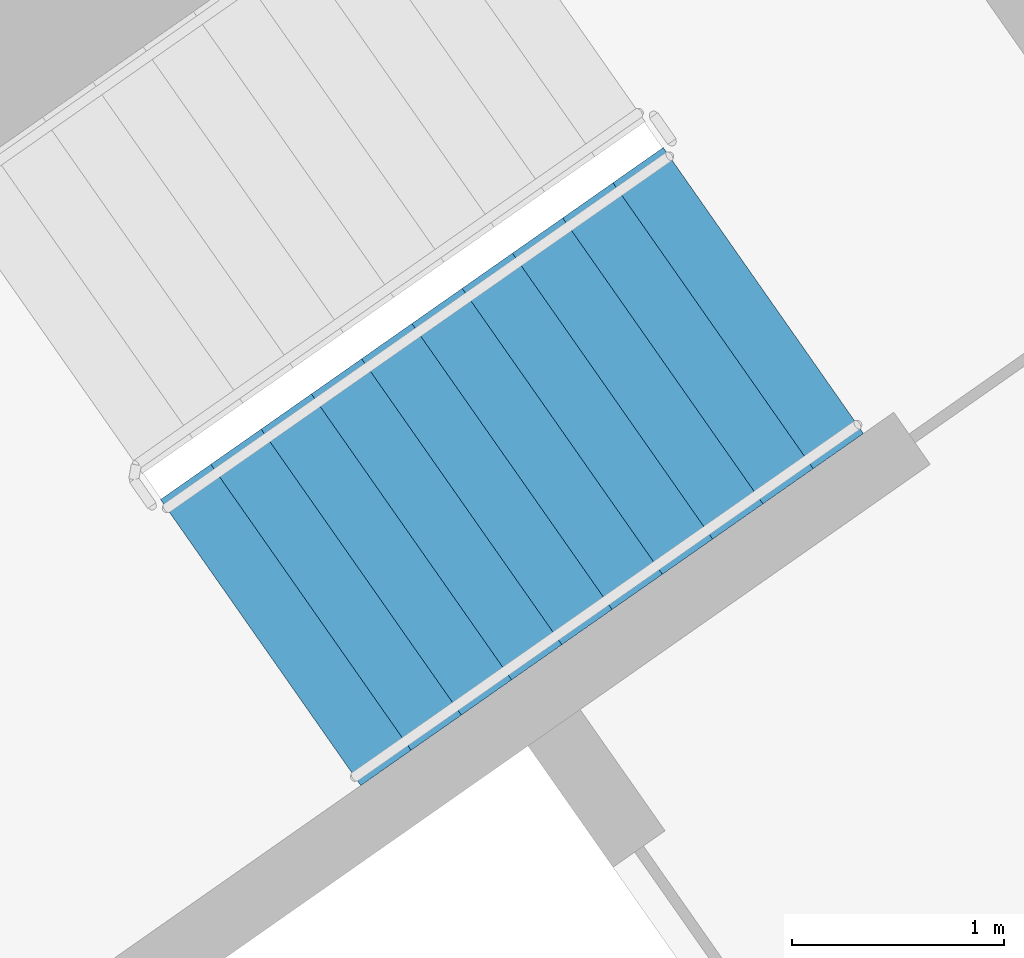
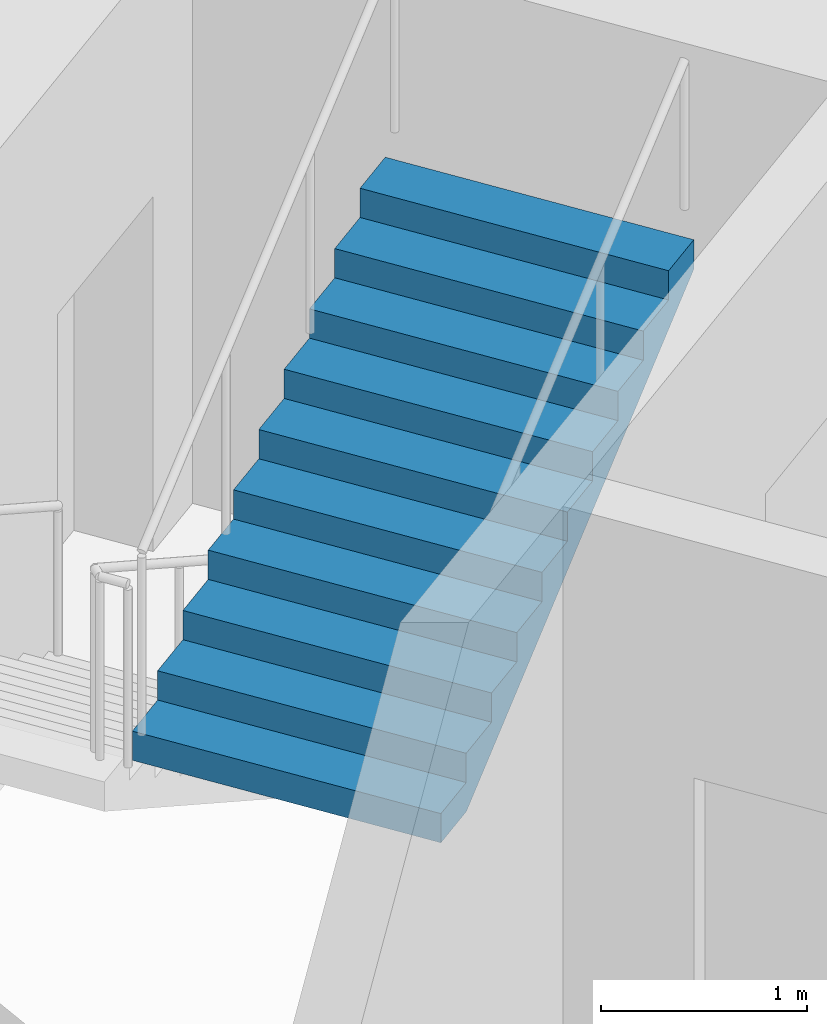
# One storey, part 16 of 31: 1 stair flight, 1 element without a shape of its own.
"""IFC4 building model written with IfcOpenShell, lengths in metres."""

from ifc_helpers import new_model, si_unit, direction, frame, origin, place, context, subcontext, project, spatial, faceted_brep, material, type_object, element, aggregate, save


model = new_model("IFC4")

# Units and contexts
model_context = context("Model", 3, precision=1e-05, world=origin(), true_north=direction((0.0, 1.0)))
body_context = subcontext(model_context, "Body", "Model", "MODEL_VIEW")
ifc_project = project(units=[si_unit("LENGTHUNIT", "METRE"), si_unit("AREAUNIT", "SQUARE_METRE"), si_unit("VOLUMEUNIT", "CUBIC_METRE"), si_unit("PLANEANGLEUNIT", "RADIAN"), si_unit("MASSUNIT", "GRAM", prefix="KILO")], contexts=[model_context])

# Site, building, storey
site_placement = place(None, origin())
site = spatial("IfcSite", under=ifc_project, at=site_placement, CompositionType="ELEMENT")
building_placement = place(site_placement, origin())
building = spatial("IfcBuilding", under=site, at=building_placement, Name="Qamariyya Broadcast Tower", CompositionType="ELEMENT")
storey_placement = place(building_placement, frame((0.0, 0.0, 74.699951171875)))
storey = spatial("IfcBuildingStorey", under=building, at=storey_placement, Name="L15", CompositionType="ELEMENT", Elevation=74.699951171875)

# Stair, stair flight
ifc_material = material(Name="Concrete C50/60", Category="concrete")
stair_type = type_object("IfcStairType", Name="Exit stair 22 risers of 173 mm", PredefinedType="HALF_TURN_STAIR", material=ifc_material)
stair_placement = place(storey_placement, origin())
stair = element("IfcStair", 1, at=stair_placement, inside=storey, type_object=stair_type, Name="L15 Stair E2", PredefinedType="HALF_TURN_STAIR")
stair_flight_type = type_object("IfcStairFlightType", Name="Exit stair flight 11 risers of 173 mm", PredefinedType="STRAIGHT", material=ifc_material)
stair_flight_placement = place(storey_placement, frame((39.215576171875, -50.822998046875, 1.900146484375), z_axis=(0.0, 0.0, 1.0), x_axis=(0.819152044289, 0.573576436351, 0.0)))
stair_flight = element("IfcStairFlight", 2, at=stair_flight_placement, type_object=stair_flight_type, Name="ST-E2 flight 2", NumberOfRisers=11, NumberOfTreads=10, PredefinedType="STRAIGHT", RiserHeight=0.172727273, TreadLength=0.29, context=body_context, shape_type="Brep", body=[
    faceted_brep([(0.0, 0.824951171875, 0.0), (0.0, 0.824951171875, 0.172607421875), (0.2900390625, 0.824951171875, 0.172607421875), (0.2900390625, 0.824951171875, 0.345458984375), (0.580078125, 0.824951171875, 0.345458984375), (0.580078125, 0.824951171875, 0.51806640625), (0.8701171875, 0.824951171875, 0.51806640625), (0.8701171875, 0.824951171875, 0.69091796875), (1.159912109375, 0.824951171875, 0.69091796875), (1.159912109375, 0.824951171875, 0.863525390625), (1.449951171875, 0.824951171875, 0.863525390625), (1.449951171875, 0.824951171875, 1.036376953125), (1.739990234375, 0.824951171875, 1.036376953125), (1.739990234375, 0.824951171875, 1.208984375), (2.030029296875, 0.824951171875, 1.208984375), (2.030029296875, 0.824951171875, 1.3818359375), (2.320068359375, 0.824951171875, 1.3818359375), (2.320068359375, 0.824951171875, 1.554443359375), (2.610107421875, 0.824951171875, 1.554443359375), (2.610107421875, 0.824951171875, 1.727294921875), (2.89990234375, 0.824951171875, 1.727294921875), (2.89990234375, 0.824951171875, 1.552734375), (0.29296875, 0.824951171875, 0.0), (0.29296875, -0.824951171875, 0.0), (2.89990234375, -0.824951171875, 1.552734375), (2.89990234375, -0.824951171875, 1.727294921875), (2.610107421875, -0.824951171875, 1.727294921875), (2.610107421875, -0.824951171875, 1.554443359375), (2.320068359375, -0.824951171875, 1.554443359375), (2.320068359375, -0.824951171875, 1.3818359375), (2.030029296875, -0.824951171875, 1.3818359375), (2.030029296875, -0.824951171875, 1.208984375), (1.739990234375, -0.824951171875, 1.208984375), (1.739990234375, -0.824951171875, 1.036376953125), (1.449951171875, -0.824951171875, 1.036376953125), (1.449951171875, -0.824951171875, 0.863525390625), (1.159912109375, -0.824951171875, 0.863525390625), (1.159912109375, -0.824951171875, 0.69091796875), (0.8701171875, -0.824951171875, 0.69091796875), (0.8701171875, -0.824951171875, 0.51806640625), (0.580078125, -0.824951171875, 0.51806640625), (0.580078125, -0.824951171875, 0.345458984375), (0.2900390625, -0.824951171875, 0.345458984375), (0.2900390625, -0.824951171875, 0.172607421875), (0.0, -0.824951171875, 0.172607421875), (0.0, -0.824951171875, 0.0), (0.0, 0.10009765625, 0.0), (0.0, 0.086669921875, 0.0), (0.0, 0.0732421875, 0.0), (0.0, 0.06005859375, 0.0), (0.0, 0.046630859375, 0.0), (0.0, 0.033447265625, 0.0), (0.0, 0.02001953125, 0.0), (0.0, 0.006591796875, 0.0), (0.0, -0.006591796875, 0.0), (0.0, -0.02001953125, 0.0), (0.0, -0.033447265625, 0.0), (0.0, -0.046630859375, 0.0), (0.0, -0.06005859375, 0.0), (0.0, -0.0732421875, 0.0), (0.0, -0.086669921875, 0.0), (0.0, -0.10009765625, 0.0), (0.0, -0.10009765625, 0.172607421875), (0.0, -0.086669921875, 0.172607421875), (0.0, -0.0732421875, 0.172607421875), (0.0, -0.06005859375, 0.172607421875), (0.0, -0.046630859375, 0.172607421875), (0.0, -0.033447265625, 0.172607421875), (0.0, -0.02001953125, 0.172607421875), (0.0, -0.006591796875, 0.172607421875), (0.0, 0.006591796875, 0.172607421875), (0.0, 0.02001953125, 0.172607421875), (0.0, 0.033447265625, 0.172607421875), (0.0, 0.046630859375, 0.172607421875), (0.0, 0.06005859375, 0.172607421875), (0.0, 0.0732421875, 0.172607421875), (0.0, 0.086669921875, 0.172607421875), (0.0, 0.10009765625, 0.172607421875), (0.2900390625, -0.10009765625, 0.172607421875), (0.2900390625, -0.086669921875, 0.172607421875), (0.2900390625, -0.0732421875, 0.172607421875), (0.2900390625, -0.06005859375, 0.172607421875), (0.2900390625, -0.046630859375, 0.172607421875), (0.2900390625, -0.033447265625, 0.172607421875), (0.2900390625, -0.02001953125, 0.172607421875), (0.2900390625, -0.006591796875, 0.172607421875), (0.2900390625, 0.006591796875, 0.172607421875), (0.2900390625, 0.02001953125, 0.172607421875), (0.2900390625, 0.033447265625, 0.172607421875), (0.2900390625, 0.046630859375, 0.172607421875), (0.2900390625, 0.06005859375, 0.172607421875), (0.2900390625, 0.0732421875, 0.172607421875), (0.2900390625, 0.086669921875, 0.172607421875), (0.2900390625, 0.10009765625, 0.172607421875), (0.2900390625, -0.10009765625, 0.345458984375), (0.2900390625, -0.086669921875, 0.345458984375), (0.2900390625, -0.0732421875, 0.345458984375), (0.2900390625, -0.06005859375, 0.345458984375), (0.2900390625, -0.046630859375, 0.345458984375), (0.2900390625, -0.033447265625, 0.345458984375), (0.2900390625, -0.02001953125, 0.345458984375), (0.2900390625, -0.006591796875, 0.345458984375), (0.2900390625, 0.006591796875, 0.345458984375), (0.2900390625, 0.02001953125, 0.345458984375), (0.2900390625, 0.033447265625, 0.345458984375), (0.2900390625, 0.046630859375, 0.345458984375), (0.2900390625, 0.06005859375, 0.345458984375), (0.2900390625, 0.0732421875, 0.345458984375), (0.2900390625, 0.086669921875, 0.345458984375), (0.2900390625, 0.10009765625, 0.345458984375), (0.580078125, -0.10009765625, 0.345458984375), (0.580078125, -0.086669921875, 0.345458984375), (0.580078125, -0.0732421875, 0.345458984375), (0.580078125, -0.06005859375, 0.345458984375), (0.580078125, -0.046630859375, 0.345458984375), (0.580078125, -0.033447265625, 0.345458984375), (0.580078125, -0.02001953125, 0.345458984375), (0.580078125, -0.006591796875, 0.345458984375), (0.580078125, 0.006591796875, 0.345458984375), (0.580078125, 0.02001953125, 0.345458984375), (0.580078125, 0.033447265625, 0.345458984375), (0.580078125, 0.046630859375, 0.345458984375), (0.580078125, 0.06005859375, 0.345458984375), (0.580078125, 0.0732421875, 0.345458984375), (0.580078125, 0.086669921875, 0.345458984375), (0.580078125, 0.10009765625, 0.345458984375), (0.580078125, -0.10009765625, 0.51806640625), (0.580078125, -0.086669921875, 0.51806640625), (0.580078125, -0.0732421875, 0.51806640625), (0.580078125, -0.06005859375, 0.51806640625), (0.580078125, -0.046630859375, 0.51806640625), (0.580078125, -0.033447265625, 0.51806640625), (0.580078125, -0.02001953125, 0.51806640625), (0.580078125, -0.006591796875, 0.51806640625), (0.580078125, 0.006591796875, 0.51806640625), (0.580078125, 0.02001953125, 0.51806640625), (0.580078125, 0.033447265625, 0.51806640625), (0.580078125, 0.046630859375, 0.51806640625), (0.580078125, 0.06005859375, 0.51806640625), (0.580078125, 0.0732421875, 0.51806640625), (0.580078125, 0.086669921875, 0.51806640625), (0.580078125, 0.10009765625, 0.51806640625), (0.8701171875, -0.10009765625, 0.51806640625), (0.8701171875, -0.086669921875, 0.51806640625), (0.8701171875, -0.0732421875, 0.51806640625), (0.8701171875, -0.06005859375, 0.51806640625), (0.8701171875, -0.046630859375, 0.51806640625), (0.8701171875, -0.033447265625, 0.51806640625), (0.8701171875, -0.02001953125, 0.51806640625), (0.8701171875, -0.006591796875, 0.51806640625), (0.8701171875, 0.006591796875, 0.51806640625), (0.8701171875, 0.02001953125, 0.51806640625), (0.8701171875, 0.033447265625, 0.51806640625), (0.8701171875, 0.046630859375, 0.51806640625), (0.8701171875, 0.06005859375, 0.51806640625), (0.8701171875, 0.0732421875, 0.51806640625), (0.8701171875, 0.086669921875, 0.51806640625), (0.8701171875, 0.10009765625, 0.51806640625), (0.8701171875, -0.10009765625, 0.69091796875), (0.8701171875, -0.086669921875, 0.69091796875), (0.8701171875, -0.0732421875, 0.69091796875), (0.8701171875, -0.06005859375, 0.69091796875), (0.8701171875, -0.046630859375, 0.69091796875), (0.8701171875, -0.033447265625, 0.69091796875), (0.8701171875, -0.02001953125, 0.69091796875), (0.8701171875, -0.006591796875, 0.69091796875), (0.8701171875, 0.006591796875, 0.69091796875), (0.8701171875, 0.02001953125, 0.69091796875), (0.8701171875, 0.033447265625, 0.69091796875), (0.8701171875, 0.046630859375, 0.69091796875), (0.8701171875, 0.06005859375, 0.69091796875), (0.8701171875, 0.0732421875, 0.69091796875), (0.8701171875, 0.086669921875, 0.69091796875), (0.8701171875, 0.10009765625, 0.69091796875), (1.159912109375, -0.10009765625, 0.69091796875), (1.159912109375, -0.086669921875, 0.69091796875), (1.159912109375, -0.0732421875, 0.69091796875), (1.159912109375, -0.06005859375, 0.69091796875), (1.159912109375, -0.046630859375, 0.69091796875), (1.159912109375, -0.033447265625, 0.69091796875), (1.159912109375, -0.02001953125, 0.69091796875), (1.159912109375, -0.006591796875, 0.69091796875), (1.159912109375, 0.006591796875, 0.69091796875), (1.159912109375, 0.02001953125, 0.69091796875), (1.159912109375, 0.033447265625, 0.69091796875), (1.159912109375, 0.046630859375, 0.69091796875), (1.159912109375, 0.06005859375, 0.69091796875), (1.159912109375, 0.0732421875, 0.69091796875), (1.159912109375, 0.086669921875, 0.69091796875), (1.159912109375, 0.10009765625, 0.69091796875), (1.159912109375, -0.10009765625, 0.863525390625), (1.159912109375, -0.086669921875, 0.863525390625), (1.159912109375, -0.0732421875, 0.863525390625), (1.159912109375, -0.06005859375, 0.863525390625), (1.159912109375, -0.046630859375, 0.863525390625), (1.159912109375, -0.033447265625, 0.863525390625), (1.159912109375, -0.02001953125, 0.863525390625), (1.159912109375, -0.006591796875, 0.863525390625), (1.159912109375, 0.006591796875, 0.863525390625), (1.159912109375, 0.02001953125, 0.863525390625), (1.159912109375, 0.033447265625, 0.863525390625), (1.159912109375, 0.046630859375, 0.863525390625), (1.159912109375, 0.06005859375, 0.863525390625), (1.159912109375, 0.0732421875, 0.863525390625), (1.159912109375, 0.086669921875, 0.863525390625), (1.159912109375, 0.10009765625, 0.863525390625), (1.449951171875, -0.10009765625, 0.863525390625), (1.449951171875, -0.086669921875, 0.863525390625), (1.449951171875, -0.0732421875, 0.863525390625), (1.449951171875, -0.06005859375, 0.863525390625), (1.449951171875, -0.046630859375, 0.863525390625), (1.449951171875, -0.033447265625, 0.863525390625), (1.449951171875, -0.02001953125, 0.863525390625), (1.449951171875, -0.006591796875, 0.863525390625), (1.449951171875, 0.006591796875, 0.863525390625), (1.449951171875, 0.02001953125, 0.863525390625), (1.449951171875, 0.033447265625, 0.863525390625), (1.449951171875, 0.046630859375, 0.863525390625), (1.449951171875, 0.06005859375, 0.863525390625), (1.449951171875, 0.0732421875, 0.863525390625), (1.449951171875, 0.086669921875, 0.863525390625), (1.449951171875, 0.10009765625, 0.863525390625), (1.449951171875, -0.10009765625, 1.036376953125), (1.449951171875, -0.086669921875, 1.036376953125), (1.449951171875, -0.0732421875, 1.036376953125), (1.449951171875, -0.06005859375, 1.036376953125), (1.449951171875, -0.046630859375, 1.036376953125), (1.449951171875, -0.033447265625, 1.036376953125), (1.449951171875, -0.02001953125, 1.036376953125), (1.449951171875, -0.006591796875, 1.036376953125), (1.449951171875, 0.006591796875, 1.036376953125), (1.449951171875, 0.02001953125, 1.036376953125), (1.449951171875, 0.033447265625, 1.036376953125), (1.449951171875, 0.046630859375, 1.036376953125), (1.449951171875, 0.06005859375, 1.036376953125), (1.449951171875, 0.0732421875, 1.036376953125), (1.449951171875, 0.086669921875, 1.036376953125), (1.449951171875, 0.10009765625, 1.036376953125), (1.739990234375, -0.10009765625, 1.036376953125), (1.739990234375, -0.086669921875, 1.036376953125), (1.739990234375, -0.0732421875, 1.036376953125), (1.739990234375, -0.06005859375, 1.036376953125), (1.739990234375, -0.046630859375, 1.036376953125), (1.739990234375, -0.033447265625, 1.036376953125), (1.739990234375, -0.02001953125, 1.036376953125), (1.739990234375, -0.006591796875, 1.036376953125), (1.739990234375, 0.006591796875, 1.036376953125), (1.739990234375, 0.02001953125, 1.036376953125), (1.739990234375, 0.033447265625, 1.036376953125), (1.739990234375, 0.046630859375, 1.036376953125), (1.739990234375, 0.06005859375, 1.036376953125), (1.739990234375, 0.0732421875, 1.036376953125), (1.739990234375, 0.086669921875, 1.036376953125), (1.739990234375, 0.10009765625, 1.036376953125), (1.739990234375, -0.10009765625, 1.208984375), (1.739990234375, -0.086669921875, 1.208984375), (1.739990234375, -0.0732421875, 1.208984375), (1.739990234375, -0.06005859375, 1.208984375), (1.739990234375, -0.046630859375, 1.208984375), (1.739990234375, -0.033447265625, 1.208984375), (1.739990234375, -0.02001953125, 1.208984375), (1.739990234375, -0.006591796875, 1.208984375), (1.739990234375, 0.006591796875, 1.208984375), (1.739990234375, 0.02001953125, 1.208984375), (1.739990234375, 0.033447265625, 1.208984375), (1.739990234375, 0.046630859375, 1.208984375), (1.739990234375, 0.06005859375, 1.208984375), (1.739990234375, 0.0732421875, 1.208984375), (1.739990234375, 0.086669921875, 1.208984375), (1.739990234375, 0.10009765625, 1.208984375), (2.030029296875, -0.10009765625, 1.208984375), (2.030029296875, -0.086669921875, 1.208984375), (2.030029296875, -0.0732421875, 1.208984375), (2.030029296875, -0.06005859375, 1.208984375), (2.030029296875, -0.046630859375, 1.208984375), (2.030029296875, -0.033447265625, 1.208984375), (2.030029296875, -0.02001953125, 1.208984375), (2.030029296875, -0.006591796875, 1.208984375), (2.030029296875, 0.006591796875, 1.208984375), (2.030029296875, 0.02001953125, 1.208984375), (2.030029296875, 0.033447265625, 1.208984375), (2.030029296875, 0.046630859375, 1.208984375), (2.030029296875, 0.06005859375, 1.208984375), (2.030029296875, 0.0732421875, 1.208984375), (2.030029296875, 0.086669921875, 1.208984375), (2.030029296875, 0.10009765625, 1.208984375), (2.030029296875, -0.10009765625, 1.3818359375), (2.030029296875, -0.086669921875, 1.3818359375), (2.030029296875, -0.0732421875, 1.3818359375), (2.030029296875, -0.06005859375, 1.3818359375), (2.030029296875, -0.046630859375, 1.3818359375), (2.030029296875, -0.033447265625, 1.3818359375), (2.030029296875, -0.02001953125, 1.3818359375), (2.030029296875, -0.006591796875, 1.3818359375), (2.030029296875, 0.006591796875, 1.3818359375), (2.030029296875, 0.02001953125, 1.3818359375), (2.030029296875, 0.033447265625, 1.3818359375), (2.030029296875, 0.046630859375, 1.3818359375), (2.030029296875, 0.06005859375, 1.3818359375), (2.030029296875, 0.0732421875, 1.3818359375), (2.030029296875, 0.086669921875, 1.3818359375), (2.030029296875, 0.10009765625, 1.3818359375), (2.320068359375, -0.10009765625, 1.3818359375), (2.320068359375, -0.086669921875, 1.3818359375), (2.320068359375, -0.0732421875, 1.3818359375), (2.320068359375, -0.06005859375, 1.3818359375), (2.320068359375, -0.046630859375, 1.3818359375), (2.320068359375, -0.033447265625, 1.3818359375), (2.320068359375, -0.02001953125, 1.3818359375), (2.320068359375, -0.006591796875, 1.3818359375), (2.320068359375, 0.006591796875, 1.3818359375), (2.320068359375, 0.02001953125, 1.3818359375), (2.320068359375, 0.033447265625, 1.3818359375), (2.320068359375, 0.046630859375, 1.3818359375), (2.320068359375, 0.06005859375, 1.3818359375), (2.320068359375, 0.0732421875, 1.3818359375), (2.320068359375, 0.086669921875, 1.3818359375), (2.320068359375, 0.10009765625, 1.3818359375), (2.320068359375, -0.10009765625, 1.554443359375), (2.320068359375, -0.086669921875, 1.554443359375), (2.320068359375, -0.0732421875, 1.554443359375), (2.320068359375, -0.06005859375, 1.554443359375), (2.320068359375, -0.046630859375, 1.554443359375), (2.320068359375, -0.033447265625, 1.554443359375), (2.320068359375, -0.02001953125, 1.554443359375), (2.320068359375, -0.006591796875, 1.554443359375), (2.320068359375, 0.006591796875, 1.554443359375), (2.320068359375, 0.02001953125, 1.554443359375), (2.320068359375, 0.033447265625, 1.554443359375), (2.320068359375, 0.046630859375, 1.554443359375), (2.320068359375, 0.06005859375, 1.554443359375), (2.320068359375, 0.0732421875, 1.554443359375), (2.320068359375, 0.086669921875, 1.554443359375), (2.320068359375, 0.10009765625, 1.554443359375), (2.610107421875, -0.10009765625, 1.554443359375), (2.610107421875, -0.086669921875, 1.554443359375), (2.610107421875, -0.0732421875, 1.554443359375), (2.610107421875, -0.06005859375, 1.554443359375), (2.610107421875, -0.046630859375, 1.554443359375), (2.610107421875, -0.033447265625, 1.554443359375), (2.610107421875, -0.02001953125, 1.554443359375), (2.610107421875, -0.006591796875, 1.554443359375), (2.610107421875, 0.006591796875, 1.554443359375), (2.610107421875, 0.02001953125, 1.554443359375), (2.610107421875, 0.033447265625, 1.554443359375), (2.610107421875, 0.046630859375, 1.554443359375), (2.610107421875, 0.06005859375, 1.554443359375), (2.610107421875, 0.0732421875, 1.554443359375), (2.610107421875, 0.086669921875, 1.554443359375), (2.610107421875, 0.10009765625, 1.554443359375), (2.610107421875, -0.10009765625, 1.727294921875), (2.610107421875, -0.086669921875, 1.727294921875), (2.610107421875, -0.0732421875, 1.727294921875), (2.610107421875, -0.06005859375, 1.727294921875), (2.610107421875, -0.046630859375, 1.727294921875), (2.610107421875, -0.033447265625, 1.727294921875), (2.610107421875, -0.02001953125, 1.727294921875), (2.610107421875, -0.006591796875, 1.727294921875), (2.610107421875, 0.006591796875, 1.727294921875), (2.610107421875, 0.02001953125, 1.727294921875), (2.610107421875, 0.033447265625, 1.727294921875), (2.610107421875, 0.046630859375, 1.727294921875), (2.610107421875, 0.06005859375, 1.727294921875), (2.610107421875, 0.0732421875, 1.727294921875), (2.610107421875, 0.086669921875, 1.727294921875), (2.610107421875, 0.10009765625, 1.727294921875), (2.89990234375, -0.10009765625, 1.727294921875), (2.89990234375, -0.086669921875, 1.727294921875), (2.89990234375, -0.0732421875, 1.727294921875), (2.89990234375, -0.06005859375, 1.727294921875), (2.89990234375, -0.046630859375, 1.727294921875), (2.89990234375, -0.033447265625, 1.727294921875), (2.89990234375, -0.02001953125, 1.727294921875), (2.89990234375, -0.006591796875, 1.727294921875), (2.89990234375, 0.006591796875, 1.727294921875), (2.89990234375, 0.02001953125, 1.727294921875), (2.89990234375, 0.033447265625, 1.727294921875), (2.89990234375, 0.046630859375, 1.727294921875), (2.89990234375, 0.06005859375, 1.727294921875), (2.89990234375, 0.0732421875, 1.727294921875), (2.89990234375, 0.086669921875, 1.727294921875), (2.89990234375, 0.10009765625, 1.727294921875), (2.89990234375, -0.10009765625, 1.552734375), (2.89990234375, -0.086669921875, 1.552734375), (2.89990234375, -0.0732421875, 1.552734375), (2.89990234375, -0.06005859375, 1.552734375), (2.89990234375, -0.046630859375, 1.552734375), (2.89990234375, -0.033447265625, 1.552734375), (2.89990234375, -0.02001953125, 1.552734375), (2.89990234375, -0.006591796875, 1.552734375), (2.89990234375, 0.006591796875, 1.552734375), (2.89990234375, 0.02001953125, 1.552734375), (2.89990234375, 0.033447265625, 1.552734375), (2.89990234375, 0.046630859375, 1.552734375), (2.89990234375, 0.06005859375, 1.552734375), (2.89990234375, 0.0732421875, 1.552734375), (2.89990234375, 0.086669921875, 1.552734375), (2.89990234375, 0.10009765625, 1.552734375), (0.29296875, -0.10009765625, 0.0), (0.29296875, -0.086669921875, 0.0), (0.29296875, -0.0732421875, 0.0), (0.29296875, -0.06005859375, 0.0), (0.29296875, -0.046630859375, 0.0), (0.29296875, -0.033447265625, 0.0), (0.29296875, -0.02001953125, 0.0), (0.29296875, -0.006591796875, 0.0), (0.29296875, 0.006591796875, 0.0), (0.29296875, 0.02001953125, 0.0), (0.29296875, 0.033447265625, 0.0), (0.29296875, 0.046630859375, 0.0), (0.29296875, 0.06005859375, 0.0), (0.29296875, 0.0732421875, 0.0), (0.29296875, 0.086669921875, 0.0), (0.29296875, 0.10009765625, 0.0)], [[[0, 1, 2, 3, 4, 5, 6, 7, 8, 9, 10, 11, 12, 13, 14, 15, 16, 17, 18, 19, 20, 21, 22]], [[23, 24, 25, 26, 27, 28, 29, 30, 31, 32, 33, 34, 35, 36, 37, 38, 39, 40, 41, 42, 43, 44, 45]], [[0, 46, 47, 48, 49, 50, 51, 52, 53, 54, 55, 56, 57, 58, 59, 60, 61, 45, 44, 62, 63, 64, 65, 66, 67, 68, 69, 70, 71, 72, 73, 74, 75, 76, 77, 1]], [[1, 77, 76, 75, 74, 73, 72, 71, 70, 69, 68, 67, 66, 65, 64, 63, 62, 44, 43, 78, 79, 80, 81, 82, 83, 84, 85, 86, 87, 88, 89, 90, 91, 92, 93, 2]], [[2, 93, 92, 91, 90, 89, 88, 87, 86, 85, 84, 83, 82, 81, 80, 79, 78, 43, 42, 94, 95, 96, 97, 98, 99, 100, 101, 102, 103, 104, 105, 106, 107, 108, 109, 3]], [[3, 109, 108, 107, 106, 105, 104, 103, 102, 101, 100, 99, 98, 97, 96, 95, 94, 42, 41, 110, 111, 112, 113, 114, 115, 116, 117, 118, 119, 120, 121, 122, 123, 124, 125, 4]], [[4, 125, 124, 123, 122, 121, 120, 119, 118, 117, 116, 115, 114, 113, 112, 111, 110, 41, 40, 126, 127, 128, 129, 130, 131, 132, 133, 134, 135, 136, 137, 138, 139, 140, 141, 5]], [[5, 141, 140, 139, 138, 137, 136, 135, 134, 133, 132, 131, 130, 129, 128, 127, 126, 40, 39, 142, 143, 144, 145, 146, 147, 148, 149, 150, 151, 152, 153, 154, 155, 156, 157, 6]], [[6, 157, 156, 155, 154, 153, 152, 151, 150, 149, 148, 147, 146, 145, 144, 143, 142, 39, 38, 158, 159, 160, 161, 162, 163, 164, 165, 166, 167, 168, 169, 170, 171, 172, 173, 7]], [[7, 173, 172, 171, 170, 169, 168, 167, 166, 165, 164, 163, 162, 161, 160, 159, 158, 38, 37, 174, 175, 176, 177, 178, 179, 180, 181, 182, 183, 184, 185, 186, 187, 188, 189, 8]], [[8, 189, 188, 187, 186, 185, 184, 183, 182, 181, 180, 179, 178, 177, 176, 175, 174, 37, 36, 190, 191, 192, 193, 194, 195, 196, 197, 198, 199, 200, 201, 202, 203, 204, 205, 9]], [[9, 205, 204, 203, 202, 201, 200, 199, 198, 197, 196, 195, 194, 193, 192, 191, 190, 36, 35, 206, 207, 208, 209, 210, 211, 212, 213, 214, 215, 216, 217, 218, 219, 220, 221, 10]], [[10, 221, 220, 219, 218, 217, 216, 215, 214, 213, 212, 211, 210, 209, 208, 207, 206, 35, 34, 222, 223, 224, 225, 226, 227, 228, 229, 230, 231, 232, 233, 234, 235, 236, 237, 11]], [[11, 237, 236, 235, 234, 233, 232, 231, 230, 229, 228, 227, 226, 225, 224, 223, 222, 34, 33, 238, 239, 240, 241, 242, 243, 244, 245, 246, 247, 248, 249, 250, 251, 252, 253, 12]], [[12, 253, 252, 251, 250, 249, 248, 247, 246, 245, 244, 243, 242, 241, 240, 239, 238, 33, 32, 254, 255, 256, 257, 258, 259, 260, 261, 262, 263, 264, 265, 266, 267, 268, 269, 13]], [[13, 269, 268, 267, 266, 265, 264, 263, 262, 261, 260, 259, 258, 257, 256, 255, 254, 32, 31, 270, 271, 272, 273, 274, 275, 276, 277, 278, 279, 280, 281, 282, 283, 284, 285, 14]], [[14, 285, 284, 283, 282, 281, 280, 279, 278, 277, 276, 275, 274, 273, 272, 271, 270, 31, 30, 286, 287, 288, 289, 290, 291, 292, 293, 294, 295, 296, 297, 298, 299, 300, 301, 15]], [[15, 301, 300, 299, 298, 297, 296, 295, 294, 293, 292, 291, 290, 289, 288, 287, 286, 30, 29, 302, 303, 304, 305, 306, 307, 308, 309, 310, 311, 312, 313, 314, 315, 316, 317, 16]], [[16, 317, 316, 315, 314, 313, 312, 311, 310, 309, 308, 307, 306, 305, 304, 303, 302, 29, 28, 318, 319, 320, 321, 322, 323, 324, 325, 326, 327, 328, 329, 330, 331, 332, 333, 17]], [[17, 333, 332, 331, 330, 329, 328, 327, 326, 325, 324, 323, 322, 321, 320, 319, 318, 28, 27, 334, 335, 336, 337, 338, 339, 340, 341, 342, 343, 344, 345, 346, 347, 348, 349, 18]], [[18, 349, 348, 347, 346, 345, 344, 343, 342, 341, 340, 339, 338, 337, 336, 335, 334, 27, 26, 350, 351, 352, 353, 354, 355, 356, 357, 358, 359, 360, 361, 362, 363, 364, 365, 19]], [[19, 365, 364, 363, 362, 361, 360, 359, 358, 357, 356, 355, 354, 353, 352, 351, 350, 26, 25, 366, 367, 368, 369, 370, 371, 372, 373, 374, 375, 376, 377, 378, 379, 380, 381, 20]], [[20, 381, 380, 379, 378, 377, 376, 375, 374, 373, 372, 371, 370, 369, 368, 367, 366, 25, 24, 382, 383, 384, 385, 386, 387, 388, 389, 390, 391, 392, 393, 394, 395, 396, 397, 21]], [[21, 397, 396, 395, 394, 393, 392, 391, 390, 389, 388, 387, 386, 385, 384, 383, 382, 24, 23, 398, 399, 400, 401, 402, 403, 404, 405, 406, 407, 408, 409, 410, 411, 412, 413, 22]], [[22, 413, 412, 411, 410, 409, 408, 407, 406, 405, 404, 403, 402, 401, 400, 399, 398, 23, 45, 61, 60, 59, 58, 57, 56, 55, 54, 53, 52, 51, 50, 49, 48, 47, 46, 0]]]),
])
aggregate(stair, [stair_flight])

save(model, "model.ifc")
